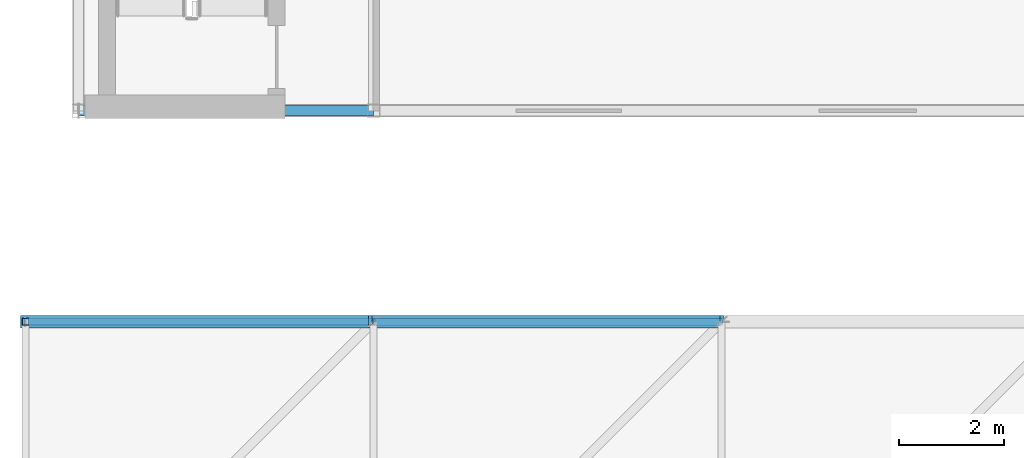
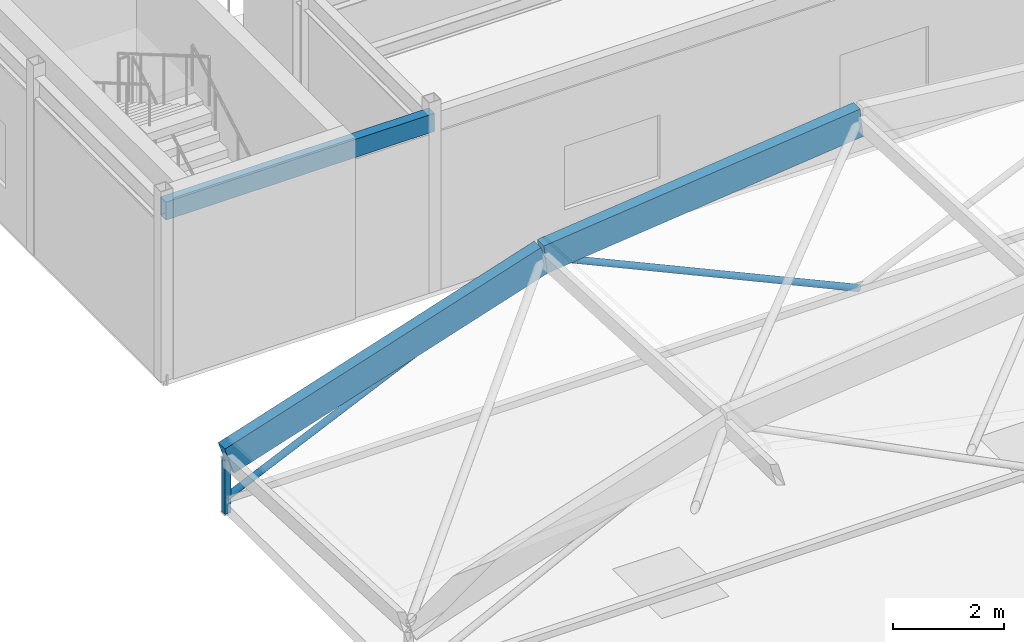
# One storey, part 28 of 157: 5 members, 1 beam.
"""IFC4 building model written with IfcOpenShell, lengths in metres."""

from ifc_helpers import new_model, si_unit, direction, frame, origin, origin_2d, place, context, subcontext, project, spatial, rectangle, hollow_rectangle, hollow_circle, extrude, material, material_profile, profile_set, type_object, element, save


model = new_model("IFC4")

# Units and contexts
model_context = context("Model", 3, precision=1e-05, world=origin(), true_north=direction((0.0, 1.0)))
body_context = subcontext(model_context, "Body", "Model", "MODEL_VIEW")
ifc_project = project(units=[si_unit("LENGTHUNIT", "METRE"), si_unit("AREAUNIT", "SQUARE_METRE"), si_unit("VOLUMEUNIT", "CUBIC_METRE"), si_unit("PLANEANGLEUNIT", "RADIAN"), si_unit("MASSUNIT", "GRAM", prefix="KILO")], contexts=[model_context])

# Site, building, storey
site_placement = place(None, origin())
site = spatial("IfcSite", under=ifc_project, at=site_placement, CompositionType="ELEMENT")
building_placement = place(site_placement, origin())
building = spatial("IfcBuilding", under=site, at=building_placement, Name="Karori Crest Natural Sciences Institute", CompositionType="ELEMENT")
storey_placement = place(building_placement, frame((0.0, 0.0, 13.300048828125)))
storey = spatial("IfcBuildingStorey", under=building, at=storey_placement, Name="L03", CompositionType="ELEMENT", Elevation=13.300048828125)

# Beam
ifc_material_1 = material(Name="Hollow structural steel AS/NZS 1163 Grade C350", Category="steel")
ifc_material_profile_1 = material_profile(ifc_material_1, hollow_rectangle(XDim=0.199951171875, YDim=0.39990234375, WallThickness=0.012451171875, at=origin_2d()), Name="RHS400x200x12.5")
ifc_profile_set_1 = profile_set([ifc_material_profile_1], Name="Hollow structural steel AS/NZS 1163 Grade C350")
beam_type = type_object("IfcBeamType", Name="BT-14", PredefinedType="SPANDREL", material=ifc_profile_set_1)
beam_placement = place(storey_placement, frame((1.800048828125, 31.199951171875, 3.719970703125), z_axis=(1.0, 0.0, 0.0), x_axis=(0.0, 1.0, 0.0)))
element("IfcBeam", 1, at=beam_placement, inside=storey, type_object=beam_type, Name="Beam B-1140", PredefinedType="SPANDREL", context=body_context, shape_type="SweptSolid", body=[
    extrude(hollow_rectangle(XDim=0.199951171875, YDim=0.39990234375, WallThickness=0.012451171875, at=origin_2d()), origin(), (0.0, 0.0, 1.0), 5.599853515625),
])

# Members
ifc_material_2 = material(Name="Glulam GL12", Category="wood")
ifc_material_profile_2 = material_profile(ifc_material_2, rectangle(XDim=0.239990234375, YDim=0.6298828125, at=origin_2d()), Name="GL240x630")
ifc_profile_set_2 = profile_set([ifc_material_profile_2], Name="Glulam GL12")
member_type_1 = type_object("IfcMemberType", Name="MT-15", PredefinedType="USERDEFINED", material=ifc_profile_set_2)
member_1_placement = place(storey_placement, frame((0.800048828125, 27.199951171875, 0.989990234375), z_axis=(0.951351409962, 0.0, 0.308107927134), x_axis=(0.0, 1.0, 0.0)))
element("IfcMember", 2, at=member_1_placement, inside=storey, type_object=member_type_1, Name="Member M-0343", ObjectType="ARCH_SEGMENT", PredefinedType="USERDEFINED", context=body_context, shape_type="SweptSolid", body=[
    extrude(rectangle(XDim=0.239990234375, YDim=0.6298828125, at=origin_2d()), origin(), (0.0, 0.0, 1.0), 6.937255859375),
])
member_2_placement = place(storey_placement, frame((7.39990234375, 27.199951171875, 3.12744140625), z_axis=(0.994225090035, 0.0, 0.107314818847), x_axis=(0.0, 1.0, 0.0)))
element("IfcMember", 3, at=member_2_placement, inside=storey, type_object=member_type_1, Name="Member M-0345", ObjectType="ARCH_SEGMENT", PredefinedType="USERDEFINED", context=body_context, shape_type="SweptSolid", body=[
    extrude(rectangle(XDim=0.239990234375, YDim=0.6298828125, at=origin_2d()), origin(), (0.0, 0.0, 1.0), 6.638427734375),
])
ifc_material_profile_3 = material_profile(ifc_material_1, hollow_circle(Radius=0.06982421875, WallThickness=0.00634765625, at=origin_2d()), Name="CHS139.7x6.4")
ifc_profile_set_3 = profile_set([ifc_material_profile_3], Name="Hollow structural steel AS/NZS 1163 Grade C350")
member_type_2 = type_object("IfcMemberType", Name="MT-18-IL", PredefinedType="STRUT", material=ifc_profile_set_3)
for number, where, z_axis, x_axis, name in (
    (4, (0.800048828125, 27.199951171875, 0.119873046875), (0.909969500085, 0.0, 0.414675184831), (0.0, 1.0, 0.0), "Member M-0344"),
    (5, (14.0, 27.199951171875, 0.119873046875), (-0.909975288088, 0.0, 0.414662483316), (0.0, -1.0, 0.0), "Member M-0346"),
):
    element("IfcMember", number, at=place(storey_placement, frame(where, z_axis=z_axis, x_axis=x_axis)), inside=storey, type_object=member_type_2, Name=name, PredefinedType="STRUT", context=body_context, shape_type="SweptSolid", body=[
        extrude(hollow_circle(Radius=0.06982421875, WallThickness=0.00634765625, at=origin_2d()), origin(), (0.0, 0.0, 1.0), 7.2529296875),
    ])
ifc_material_profile_4 = material_profile(ifc_material_1, hollow_rectangle(XDim=0.125, YDim=0.125, WallThickness=0.006103515625, at=origin_2d()), Name="SHS125x125x6")
ifc_profile_set_4 = profile_set([ifc_material_profile_4], Name="Hollow structural steel AS/NZS 1163 Grade C350")
member_type_3 = type_object("IfcMemberType", Name="MT-20", PredefinedType="STRUT", material=ifc_profile_set_4)
member_3_placement = place(storey_placement, frame((0.800048828125, 27.199951171875, -0.199951171875), z_axis=(0.0, 0.0, 1.0), x_axis=(1.0, 0.0, 0.0)))
element("IfcMember", 6, at=member_3_placement, inside=storey, type_object=member_type_3, Name="Member M-0340", PredefinedType="STRUT", context=body_context, shape_type="SweptSolid", body=[
    extrude(hollow_rectangle(XDim=0.125, YDim=0.125, WallThickness=0.006103515625, at=origin_2d()), origin(), (0.0, 0.0, 1.0), 1.18994140625),
])

save(model, "model.ifc")
